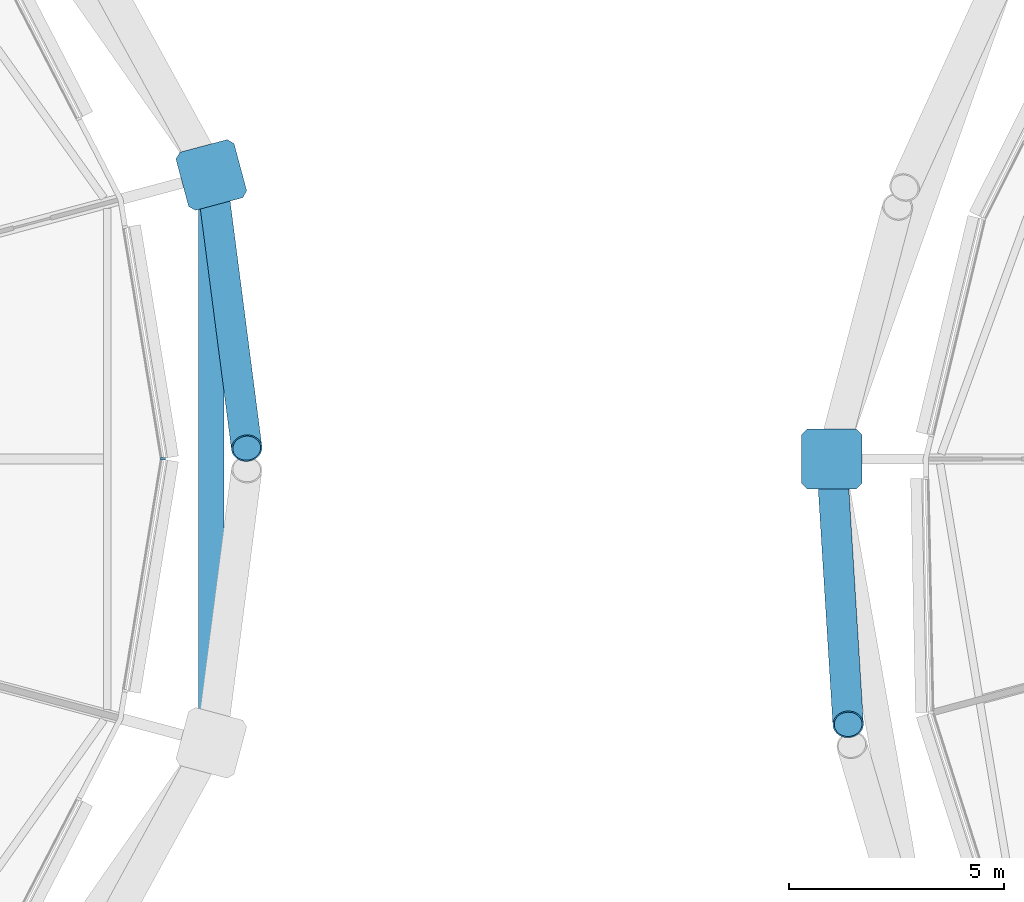
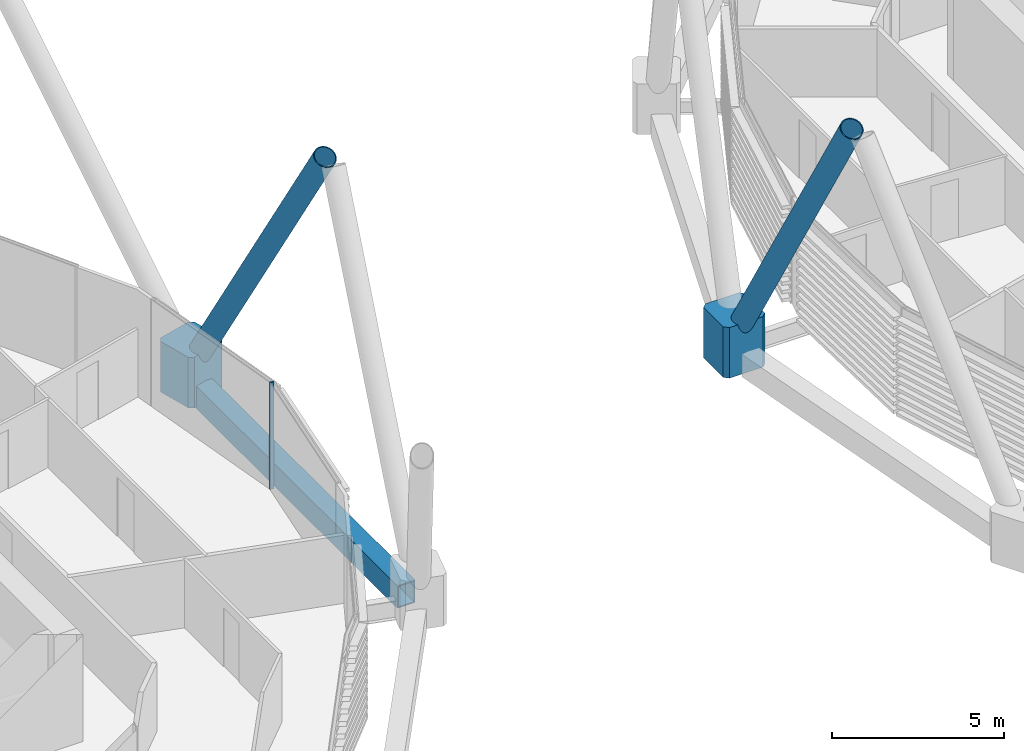
# One storey, part 9 of 38: 5 members, 1 beam, 1 element without a shape of its own.
"""IFC4 building model written with IfcOpenShell, lengths in metres."""

from ifc_helpers import new_model, si_unit, direction, frame, origin, origin_2d, place, context, subcontext, project, spatial, polyline, rectangle, hollow_rectangle, hollow_circle, outline, extrude, material, material_profile, profile_set, type_object, element, aggregate, save


model = new_model("IFC4")

# Units and contexts
model_context = context("Model", 3, precision=1e-05, world=origin(), true_north=direction((0.0, 1.0)))
body_context = subcontext(model_context, "Body", "Model", "MODEL_VIEW")
ifc_project = project(units=[si_unit("LENGTHUNIT", "METRE"), si_unit("AREAUNIT", "SQUARE_METRE"), si_unit("VOLUMEUNIT", "CUBIC_METRE"), si_unit("PLANEANGLEUNIT", "RADIAN"), si_unit("MASSUNIT", "GRAM", prefix="KILO")], contexts=[model_context])

# Site, building, storey
site_placement = place(None, origin())
site = spatial("IfcSite", under=ifc_project, at=site_placement, CompositionType="ELEMENT")
building_placement = place(site_placement, origin())
building = spatial("IfcBuilding", under=site, at=building_placement, Name="Rimbun Link Towers", CompositionType="ELEMENT")
storey_placement = place(building_placement, frame((0.0, 0.0, 93.0)))
storey = spatial("IfcBuildingStorey", under=building, at=storey_placement, Name="L22", CompositionType="ELEMENT", Elevation=93.0)

# Curtain wall, member
ifc_material_1 = material(Name="Aluminium 6063-T6 and low-iron glass", Category="aluminium")
curtain_wall_type = type_object("IfcCurtainWallType", Name="CW1-Z2 unitised vision wall (zone 2)", PredefinedType="NOTDEFINED", material=ifc_material_1)
curtain_wall_placement = place(storey_placement, origin())
curtain_wall = element("IfcCurtainWall", 1, at=curtain_wall_placement, inside=storey, type_object=curtain_wall_type, Name="CW1 L22 T1", PredefinedType="NOTDEFINED")
ifc_material_2 = material(Name="Aluminium 6063-T6", Category="aluminium")
ifc_material_profile_1 = material_profile(ifc_material_2, rectangle(XDim=0.1201171875, YDim=0.06005859375, at=origin_2d()), Name="MULLION 60X120")
ifc_profile_set_1 = profile_set([ifc_material_profile_1], Name="Aluminium 6063-T6")
member_type_1 = type_object("IfcMemberType", Name="CW1 mullion 60X120", PredefinedType="MULLION", material=ifc_profile_set_1)
member_1_placement = place(storey_placement, frame((-8.19580078125, 0.0, 0.0), z_axis=(0.0, 0.0, 1.0), x_axis=(1.0, 0.0, 0.0)))
member_1 = element("IfcMember", 2, at=member_1_placement, type_object=member_type_1, Name="CW1 mullion", PredefinedType="MULLION", context=body_context, shape_type="SweptSolid", body=[
    extrude(rectangle(XDim=0.1201171875, YDim=0.06005859375, at=origin_2d()), origin(), (0.0, 0.0, 1.0), 3.800048828125),
])
aggregate(curtain_wall, [member_1])

# Members
ifc_material_3 = material(Name="Steel S460NH", Category="steel")
ifc_material_profile_2 = material_profile(ifc_material_3, hollow_circle(Radius=0.355712890625, WallThickness=0.031982421875, at=origin_2d()), Name="Diagrid diagonal CHS 711x32")
ifc_profile_set_2 = profile_set([ifc_material_profile_2], Name="Steel S460NH")
member_type_2 = type_object("IfcMemberType", Name="Diagrid diagonal CHS 711x32", PredefinedType="BRACE", material=ifc_profile_set_2)
member_2_placement = place(storey_placement, frame((-7.04150390625, 6.361572265625, 0.431640625), z_axis=(0.064862369414, -0.500658288981, 0.863211533003), x_axis=(0.991712044265, 0.12848043143, 0.0)))
element("IfcMember", 3, at=member_2_placement, inside=storey, type_object=member_type_2, Name="Diagrid diagonal T1 L22-L25 01a", PredefinedType="BRACE", context=body_context, shape_type="SweptSolid", body=[
    extrude(hollow_circle(Radius=0.355712890625, WallThickness=0.031982421875, at=origin_2d()), origin(), (0.0, 0.0, 1.0), 12.20654296875),
])
member_3_placement = place(storey_placement, frame((7.38623046875, -0.245361328125, 0.435302734375), z_axis=(0.030486807129, -0.490777024957, 0.870751667449), x_axis=(0.998076151982, 0.061999958429, 0.0)))
element("IfcMember", 4, at=member_3_placement, inside=storey, type_object=member_type_2, Name="Diagrid diagonal T2 L22-L25 09b", PredefinedType="BRACE", context=body_context, shape_type="SweptSolid", body=[
    extrude(hollow_circle(Radius=0.355712890625, WallThickness=0.031982421875, at=origin_2d()), origin(), (0.0, 0.0, 1.0), 12.09228515625),
])
ifc_material_4 = material(Name="Cast steel G20Mn5+QT, Rp0.2 300 MPa", Category="steel")
ifc_material_profile_3 = material_profile(ifc_material_4, outline(polyline([(0.699951171875, -0.570068359375), (0.699951171875, 0.570068359375), (0.570068359375, 0.699951171875), (-0.570068359375, 0.699951171875), (-0.699951171875, 0.570068359375), (-0.699951171875, -0.570068359375), (-0.570068359375, -0.699951171875), (0.570068359375, -0.699951171875), (0.699951171875, -0.570068359375)])), Name="NODE 1400x1400")
ifc_profile_set_3 = profile_set([ifc_material_profile_3], Name="Cast steel G20Mn5+QT, Rp0.2 300 MPa")
member_type_3 = type_object("IfcMemberType", Name="Diagrid node cast 1400", PredefinedType="USERDEFINED", material=ifc_profile_set_3)
for number, where, z_axis, x_axis, name in (
    (5, (-7.073974609375, 6.61181640625, -0.89990234375), (0.0, 0.0, 1.0), (0.965925826289, 0.258819045103, 0.0), "Diagrid node L22 01"),
    (6, (7.37109375, 0.0, -0.89990234375), (0.0, 0.0, 1.0), (-1.0, 0.0, 0.0), "Diagrid node L22 09"),
):
    element("IfcMember", number, at=place(storey_placement, frame(where, z_axis=z_axis, x_axis=x_axis)), inside=storey, type_object=member_type_3, Name=name, ObjectType="Diagrid node", PredefinedType="USERDEFINED", context=body_context, shape_type="SweptSolid", body=[
        extrude(outline(polyline([(0.699951171875, -0.570068359375), (0.699951171875, 0.570068359375), (0.570068359375, 0.699951171875), (-0.570068359375, 0.699951171875), (-0.699951171875, 0.570068359375), (-0.699951171875, -0.570068359375), (-0.570068359375, -0.699951171875), (0.570068359375, -0.699951171875), (0.699951171875, -0.570068359375)])), origin(), (0.0, 0.0, 1.0), 1.7998046875),
    ])

# Beam
ifc_material_5 = material(Name="Steel S355J2", Category="steel")
ifc_material_profile_4 = material_profile(ifc_material_5, hollow_rectangle(XDim=0.60009765625, YDim=0.800048828125, WallThickness=0.0400390625, at=origin_2d()), Name="Exoskeleton ring girder BOX 600x800x40")
ifc_profile_set_4 = profile_set([ifc_material_profile_4], Name="Steel S355J2")
beam_type = type_object("IfcBeamType", Name="Exoskeleton ring girder BOX 600x800x40", PredefinedType="BEAM", material=ifc_profile_set_4)
beam_placement = place(storey_placement, frame((-7.073974609375, -5.911865234375, -0.56005859375), z_axis=(0.0, 1.0, 0.0), x_axis=(-1.0, 0.0, 0.0)))
element("IfcBeam", 7, at=beam_placement, inside=storey, type_object=beam_type, Name="Exoskeleton ring girder L22 11", PredefinedType="BEAM", context=body_context, shape_type="SweptSolid", body=[
    extrude(hollow_rectangle(XDim=0.60009765625, YDim=0.800048828125, WallThickness=0.0400390625, at=origin_2d()), origin(), (0.0, 0.0, 1.0), 11.82373046875),
])

save(model, "model.ifc")
